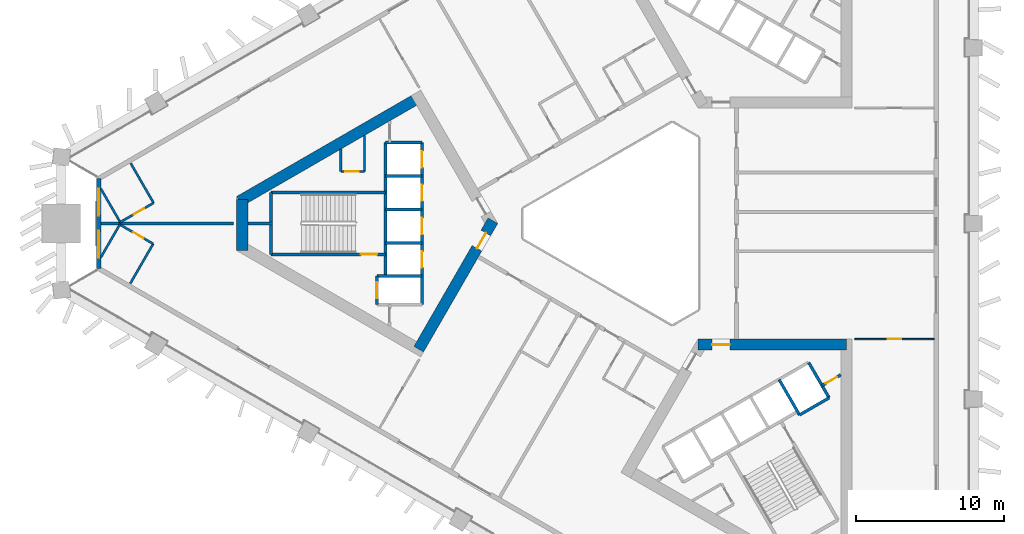
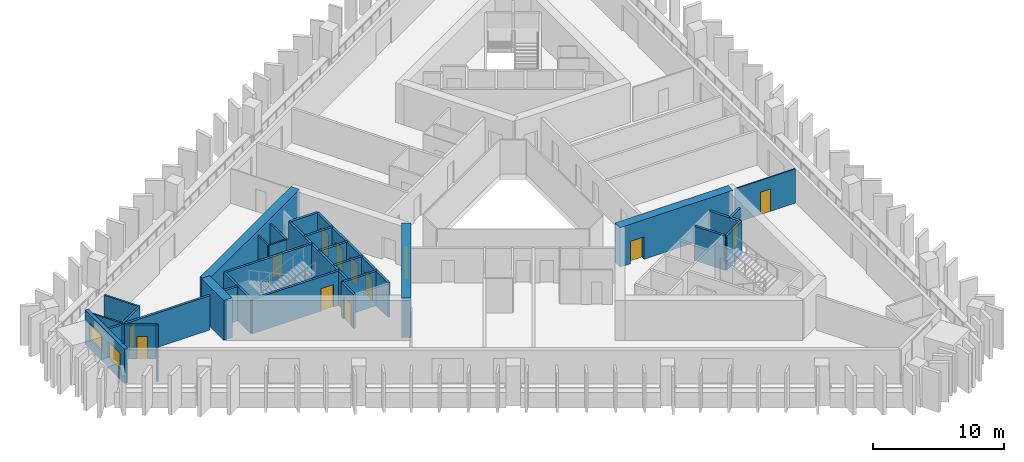
# One storey, part 4 of 11: 32 walls, 13 doors, 2 windows, 15 openings.
"""IFC4 building model written with IfcOpenShell, lengths in metres."""

from ifc_helpers import new_model, si_unit, direction, frame, frame_2d, origin, place, context, subcontext, project, spatial, rectangle, extrude, material, layer, layer_set, type_object, element, fill, save


model = new_model("IFC4")

# Units and contexts
model_context = context("Model", 3, precision=1e-05, world=origin(), true_north=direction((0.0, 1.0)))
body_context = subcontext(model_context, "Body", "Model", "MODEL_VIEW")
ifc_project = project(units=[si_unit("LENGTHUNIT", "METRE"), si_unit("AREAUNIT", "SQUARE_METRE"), si_unit("VOLUMEUNIT", "CUBIC_METRE"), si_unit("PLANEANGLEUNIT", "RADIAN"), si_unit("MASSUNIT", "GRAM", prefix="KILO")], contexts=[model_context])

# Site, building, storey
site_placement = place(None, origin())
site = spatial("IfcSite", under=ifc_project, at=site_placement, CompositionType="ELEMENT")
building_placement = place(site_placement, origin())
building = spatial("IfcBuilding", under=site, at=building_placement, Name="Jabali Bay Hotel Tower and Convention Centre", CompositionType="ELEMENT")
storey_placement = place(building_placement, frame((0.0, 0.0, 75.800048828125)))
storey = spatial("IfcBuildingStorey", under=building, at=storey_placement, Name="L17", CompositionType="ELEMENT", Elevation=75.800048828125)

# Wall
ifc_material_1 = material(Name="Concrete C40", Category="concrete")
ifc_layer_1 = layer(ifc_material_1, 0.199951171875)
ifc_layer_set_1 = layer_set([ifc_layer_1], Name="Concrete C40")
wall_type_1 = type_object("IfcWallType", Name="Core partition wall 200", PredefinedType="PARTITIONING", material=ifc_layer_set_1)
wall_1_placement = place(storey_placement, frame((50.820068359375, 80.0, 0.0), z_axis=(0.0, 0.0, 1.0), x_axis=(-1.0, 0.0, 0.0)))
element("IfcWall", 1, at=wall_1_placement, inside=storey, type_object=wall_type_1, Name="Core wall 0.5 L17", PredefinedType="PARTITIONING", context=body_context, shape_type="SweptSolid", body=[
    extrude(rectangle(XDim=1.673095703125, YDim=0.199951171875, at=frame_2d((0.83642578125, 0.0))), origin(), (0.0, 0.0, 1.0), 3.199951171875),
])

# Wall, opening, door
wall_2_placement = place(storey_placement, frame((87.86474609375, 69.067626953125, 0.0), z_axis=(0.0, 0.0, 1.0), x_axis=(0.865982457891, 0.500074377092, 0.0)))
wall_2 = element("IfcWall", 2, at=wall_2_placement, inside=storey, type_object=wall_type_1, Name="Core wall 2.12 L17", PredefinedType="PARTITIONING", context=body_context, shape_type="SweptSolid", body=[
    extrude(rectangle(XDim=1.461181640625, YDim=0.199951171875, at=frame_2d((0.73046875, 0.0))), origin(), (0.0, 0.0, 1.0), 3.199951171875),
])
opening_1_placement = place(wall_2_placement, frame((0.280517578125, 0.0, 0.0)))
opening_1 = element("IfcOpeningElement", 3, at=opening_1_placement, cuts=wall_2, Name="Opening D434", PredefinedType="OPENING", context=body_context, shape_type="SweptSolid", body=[
    extrude(rectangle(XDim=0.89990234375, YDim=2.10009765625, at=frame_2d((0.449951171875, 1.050048828125))), frame((0.0, 0.1103515625, 0.0), z_axis=(0.0, -1.0, 0.0), x_axis=(1.0, 0.0, 0.0)), (0.0, 0.0, 1.0), 0.220947265625),
])
ifc_material_2 = material(Name="Fire-rated steel door", Category="steel")
door_type_1 = type_object("IfcDoorType", Name="Vestibule fire door 900 x 2100", OperationType="NOTDEFINED", PredefinedType="NOTDEFINED", material=ifc_material_2)
door_1_placement = place(opening_1_placement, origin())
door_1 = element("IfcDoor", 4, at=door_1_placement, inside=storey, type_object=door_type_1, Name="Vestibule fire door D434", OperationType="SINGLE_SWING_LEFT", OverallHeight=2.10009765625, OverallWidth=0.89990234375, PredefinedType="NOTDEFINED", context=body_context, shape_type="SweptSolid", body=[
    extrude(rectangle(XDim=0.89990234375, YDim=2.10009765625, at=frame_2d((0.449951171875, 1.050048828125))), frame((0.0, 0.02490234375, 0.0), z_axis=(0.0, -1.0, 0.0), x_axis=(1.0, 0.0, 0.0)), (0.0, 0.0, 1.0), 0.050048828125),
])
fill(opening_1, door_1)

ifc_material_3 = material(Name="Fire-rated board partition")
ifc_layer_2 = layer(ifc_material_3, 0.14990234375)
ifc_layer_set_2 = layer_set([ifc_layer_2], Name="Fire-rated board partition")
wall_type_2 = type_object("IfcWallType", Name="Core room partition 150", PredefinedType="PARTITIONING", material=ifc_layer_set_2)
wall_3_placement = place(storey_placement, frame((57.02001953125, 83.5, 0.0), z_axis=(0.0, 0.0, 1.0), x_axis=(-1.0, 0.0, 0.0)))
wall_3 = element("IfcWall", 5, at=wall_3_placement, inside=storey, type_object=wall_type_2, Name="Core wall 0.1 L17", PredefinedType="PARTITIONING", context=body_context, shape_type="SweptSolid", body=[
    extrude(rectangle(XDim=1.60009765625, YDim=0.14990234375, at=frame_2d((0.800048828125, 0.0))), origin(), (0.0, 0.0, 1.0), 3.199951171875),
])
opening_2_placement = place(wall_3_placement, frame((0.387451171875, 0.0, 0.0)))
opening_2 = element("IfcOpeningElement", 6, at=opening_2_placement, cuts=wall_3, Name="Opening D425", PredefinedType="OPENING", context=body_context, shape_type="SweptSolid", body=[
    extrude(rectangle(XDim=0.89990234375, YDim=2.10009765625, at=frame_2d((0.449951171875, 1.050048828125))), frame((0.0, 0.08544921875, 0.0), z_axis=(0.0, -1.0, 0.0), x_axis=(1.0, 0.0, 0.0)), (0.0, 0.0, 1.0), 0.1708984375),
])
door_type_2 = type_object("IfcDoorType", Name="Core room door 900 x 2100", OperationType="NOTDEFINED", PredefinedType="NOTDEFINED", material=ifc_material_2)
door_2_placement = place(opening_2_placement, origin())
door_2 = element("IfcDoor", 7, at=door_2_placement, inside=storey, type_object=door_type_2, Name="Core room door D425", OperationType="SINGLE_SWING_LEFT", OverallHeight=2.10009765625, OverallWidth=0.89990234375, PredefinedType="NOTDEFINED", context=body_context, shape_type="SweptSolid", body=[
    extrude(rectangle(XDim=0.89990234375, YDim=2.10009765625, at=frame_2d((0.449951171875, 1.050048828125))), frame((0.0, 0.02490234375, 0.0), z_axis=(0.0, -1.0, 0.0), x_axis=(1.0, 0.0, 0.0)), (0.0, 0.0, 1.0), 0.050048828125),
])
fill(opening_2, door_2)

# Walls
wall_4_placement = place(storey_placement, frame((57.02001953125, 85.935302734375, 0.0), z_axis=(0.0, 0.0, 1.0), x_axis=(0.0, -1.0, 0.0)))
element("IfcWall", 8, at=wall_4_placement, inside=storey, type_object=wall_type_2, Name="Core wall 0.15 L17", PredefinedType="PARTITIONING", context=body_context, shape_type="SweptSolid", body=[
    extrude(rectangle(XDim=2.435302734375, YDim=0.14990234375, at=frame_2d((1.2177734375, 0.0))), origin(), (0.0, 0.0, 1.0), 3.199951171875),
])
wall_5_placement = place(storey_placement, frame((55.419921875, 85.011474609375, 0.0), z_axis=(0.0, 0.0, 1.0), x_axis=(0.0, -1.0, 0.0)))
element("IfcWall", 9, at=wall_5_placement, inside=storey, type_object=wall_type_2, Name="Core wall 0.16 L17", PredefinedType="PARTITIONING", context=body_context, shape_type="SweptSolid", body=[
    extrude(rectangle(XDim=1.511474609375, YDim=0.14990234375, at=frame_2d((0.755859375, 0.0))), origin(), (0.0, 0.0, 1.0), 3.199951171875),
])
ifc_layer_3 = layer(ifc_material_1, 0.199951171875)
ifc_layer_set_3 = layer_set([ifc_layer_3], Name="Concrete C40")
wall_type_3 = type_object("IfcWallType", Name="Core stair wall 200", PredefinedType="SOLIDWALL", material=ifc_layer_set_3)
for number, where, z_axis, x_axis, name in (
    (10, (60.89990234375, 85.449951171875, 0.0), (0.0, 0.0, 1.0), (-1.0, 0.0, 0.0), "Core wall 0.0 L17"),
    (11, (60.89990234375, 83.199951171875, 0.0), (0.0, 0.0, 1.0), (-1.0, 0.0, 0.0), "Core wall 0.2 L17"),
):
    element("IfcWall", number, at=place(storey_placement, frame(where, z_axis=z_axis, x_axis=x_axis)), inside=storey, type_object=wall_type_3, Name=name, PredefinedType="SOLIDWALL", context=body_context, shape_type="SweptSolid", body=[
        extrude(rectangle(XDim=2.47998046875, YDim=0.199951171875, at=frame_2d((1.239990234375, 0.0))), origin(), (0.0, 0.0, 1.0), 3.199951171875),
    ])
wall_6_placement = place(storey_placement, frame((58.419921875, 82.074951171875, 0.0), z_axis=(0.0, 0.0, 1.0), x_axis=(-1.0, 0.0, 0.0)))
element("IfcWall", 12, at=wall_6_placement, inside=storey, type_object=wall_type_3, Name="Core wall 0.3 L17", PredefinedType="SOLIDWALL", context=body_context, shape_type="SweptSolid", body=[
    extrude(rectangle(XDim=7.699951171875, YDim=0.199951171875, at=frame_2d((3.85009765625, 0.0))), origin(), (0.0, 0.0, 1.0), 3.199951171875),
])
for number, where, z_axis, x_axis, name in (
    (13, (60.89990234375, 80.949951171875, 0.0), (0.0, 0.0, 1.0), (-1.0, 0.0, 0.0), "Core wall 0.4 L17"),
    (14, (60.89990234375, 78.699951171875, 0.0), (0.0, 0.0, 1.0), (-1.0, 0.0, 0.0), "Core wall 0.6 L17"),
):
    element("IfcWall", number, at=place(storey_placement, frame(where, z_axis=z_axis, x_axis=x_axis)), inside=storey, type_object=wall_type_3, Name=name, PredefinedType="SOLIDWALL", context=body_context, shape_type="SweptSolid", body=[
        extrude(rectangle(XDim=2.47998046875, YDim=0.199951171875, at=frame_2d((1.239990234375, 0.0))), origin(), (0.0, 0.0, 1.0), 3.199951171875),
    ])

# Wall, opening, door
wall_7_placement = place(storey_placement, frame((58.419921875, 77.925048828125, 0.0), z_axis=(0.0, 0.0, 1.0), x_axis=(-1.0, 0.0, 0.0)))
wall_7 = element("IfcWall", 15, at=wall_7_placement, inside=storey, type_object=wall_type_3, Name="Core wall 0.7 L17", PredefinedType="SOLIDWALL", context=body_context, shape_type="SweptSolid", body=[
    extrude(rectangle(XDim=7.699951171875, YDim=0.199951171875, at=frame_2d((3.85009765625, 0.0))), origin(), (0.0, 0.0, 1.0), 3.199951171875),
])
opening_3_placement = place(wall_7_placement, frame((0.550048828125, 0.0, 0.0)))
opening_3 = element("IfcOpeningElement", 16, at=opening_3_placement, cuts=wall_7, Name="Opening D424", PredefinedType="OPENING", context=body_context, shape_type="SweptSolid", body=[
    extrude(rectangle(XDim=1.10009765625, YDim=2.10009765625, at=frame_2d((0.550048828125, 1.050048828125))), frame((0.0, 0.1103515625, 0.0), z_axis=(0.0, -1.0, 0.0), x_axis=(1.0, 0.0, 0.0)), (0.0, 0.0, 1.0), 0.220947265625),
])
door_type_3 = type_object("IfcDoorType", Name="Stair fire door 1100 x 2100", OperationType="NOTDEFINED", PredefinedType="NOTDEFINED", material=ifc_material_2)
door_3_placement = place(opening_3_placement, origin())
door_3 = element("IfcDoor", 17, at=door_3_placement, inside=storey, type_object=door_type_3, Name="Stair fire door D424", OperationType="SINGLE_SWING_RIGHT", OverallHeight=2.10009765625, OverallWidth=1.10009765625, PredefinedType="NOTDEFINED", context=body_context, shape_type="SweptSolid", body=[
    extrude(rectangle(XDim=1.10009765625, YDim=2.10009765625, at=frame_2d((0.550048828125, 1.050048828125))), frame((0.0, 0.02490234375, 0.0), z_axis=(0.0, -1.0, 0.0), x_axis=(1.0, 0.0, 0.0)), (0.0, 0.0, 1.0), 0.050048828125),
])
fill(opening_3, door_3)

# Wall
wall_8_placement = place(storey_placement, frame((60.89990234375, 76.449951171875, 0.0), z_axis=(0.0, 0.0, 1.0), x_axis=(-1.0, 0.0, 0.0)))
element("IfcWall", 18, at=wall_8_placement, inside=storey, type_object=wall_type_3, Name="Core wall 0.8 L17", PredefinedType="SOLIDWALL", context=body_context, shape_type="SweptSolid", body=[
    extrude(rectangle(XDim=3.0498046875, YDim=0.199951171875, at=frame_2d((1.52490234375, 0.0))), origin(), (0.0, 0.0, 1.0), 3.199951171875),
])

# Wall, openings, doors
wall_9_placement = place(storey_placement, frame((60.89990234375, 85.449951171875, 0.0), z_axis=(0.0, 0.0, 1.0), x_axis=(0.0, -1.0, 0.0)))
wall_9 = element("IfcWall", 19, at=wall_9_placement, inside=storey, type_object=wall_type_3, Name="Core wall 0.10 L17", PredefinedType="SOLIDWALL", context=body_context, shape_type="SweptSolid", body=[
    extrude(rectangle(XDim=10.89990234375, YDim=0.199951171875, at=frame_2d((5.449951171875, 0.0))), origin(), (0.0, 0.0, 1.0), 3.199951171875),
])
opening_4_placement = place(wall_9_placement, frame((0.574951171875, 0.0, 0.0)))
opening_4 = element("IfcOpeningElement", 20, at=opening_4_placement, cuts=wall_9, Name="Opening LD1-L17", PredefinedType="OPENING", context=body_context, shape_type="SweptSolid", body=[
    extrude(rectangle(XDim=1.10009765625, YDim=2.10009765625, at=frame_2d((0.550048828125, 1.050048828125))), frame((0.0, 0.1103515625, 0.0), z_axis=(0.0, -1.0, 0.0), x_axis=(1.0, 0.0, 0.0)), (0.0, 0.0, 1.0), 0.220947265625),
])
opening_5_placement = place(wall_9_placement, frame((2.824951171875, 0.0, 0.0)))
opening_5 = element("IfcOpeningElement", 21, at=opening_5_placement, cuts=wall_9, Name="Opening LD2-L17", PredefinedType="OPENING", context=body_context, shape_type="SweptSolid", body=[
    extrude(rectangle(XDim=1.10009765625, YDim=2.10009765625, at=frame_2d((0.550048828125, 1.050048828125))), frame((0.0, 0.1103515625, 0.0), z_axis=(0.0, -1.0, 0.0), x_axis=(1.0, 0.0, 0.0)), (0.0, 0.0, 1.0), 0.220947265625),
])
opening_6_placement = place(wall_9_placement, frame((5.074951171875, 0.0, 0.0)))
opening_6 = element("IfcOpeningElement", 22, at=opening_6_placement, cuts=wall_9, Name="Opening LD3-L17", PredefinedType="OPENING", context=body_context, shape_type="SweptSolid", body=[
    extrude(rectangle(XDim=1.10009765625, YDim=2.10009765625, at=frame_2d((0.550048828125, 1.050048828125))), frame((0.0, 0.1103515625, 0.0), z_axis=(0.0, -1.0, 0.0), x_axis=(1.0, 0.0, 0.0)), (0.0, 0.0, 1.0), 0.220947265625),
])
opening_7_placement = place(wall_9_placement, frame((7.324951171875, 0.0, 0.0)))
opening_7 = element("IfcOpeningElement", 23, at=opening_7_placement, cuts=wall_9, Name="Opening LD4-L17", PredefinedType="OPENING", context=body_context, shape_type="SweptSolid", body=[
    extrude(rectangle(XDim=1.10009765625, YDim=2.10009765625, at=frame_2d((0.550048828125, 1.050048828125))), frame((0.0, 0.1103515625, 0.0), z_axis=(0.0, -1.0, 0.0), x_axis=(1.0, 0.0, 0.0)), (0.0, 0.0, 1.0), 0.220947265625),
])
ifc_material_4 = material(Name="Stainless steel landing door", Category="steel")
door_type_4 = type_object("IfcDoorType", Name="Landing door 1100 x 2100", OperationType="NOTDEFINED", PredefinedType="NOTDEFINED", material=ifc_material_4)
door_4_placement = place(opening_4_placement, origin())
door_4 = element("IfcDoor", 24, at=door_4_placement, inside=storey, type_object=door_type_4, Name="Landing doors LD1-L17", OperationType="SLIDING_TO_RIGHT", OverallHeight=2.10009765625, OverallWidth=1.10009765625, PredefinedType="NOTDEFINED", context=body_context, shape_type="SweptSolid", body=[
    extrude(rectangle(XDim=1.10009765625, YDim=2.10009765625, at=frame_2d((0.550048828125, 1.050048828125))), frame((0.0, 0.02490234375, 0.0), z_axis=(0.0, -1.0, 0.0), x_axis=(1.0, 0.0, 0.0)), (0.0, 0.0, 1.0), 0.050048828125),
])
fill(opening_4, door_4)
door_5_placement = place(opening_5_placement, origin())
door_5 = element("IfcDoor", 25, at=door_5_placement, inside=storey, type_object=door_type_4, Name="Landing doors LD2-L17", OperationType="SLIDING_TO_LEFT", OverallHeight=2.10009765625, OverallWidth=1.10009765625, PredefinedType="NOTDEFINED", context=body_context, shape_type="SweptSolid", body=[
    extrude(rectangle(XDim=1.10009765625, YDim=2.10009765625, at=frame_2d((0.550048828125, 1.050048828125))), frame((0.0, 0.02490234375, 0.0), z_axis=(0.0, -1.0, 0.0), x_axis=(1.0, 0.0, 0.0)), (0.0, 0.0, 1.0), 0.050048828125),
])
fill(opening_5, door_5)
door_6_placement = place(opening_6_placement, origin())
door_6 = element("IfcDoor", 26, at=door_6_placement, inside=storey, type_object=door_type_4, Name="Landing doors LD3-L17", OperationType="SLIDING_TO_RIGHT", OverallHeight=2.10009765625, OverallWidth=1.10009765625, PredefinedType="NOTDEFINED", context=body_context, shape_type="SweptSolid", body=[
    extrude(rectangle(XDim=1.10009765625, YDim=2.10009765625, at=frame_2d((0.550048828125, 1.050048828125))), frame((0.0, 0.02490234375, 0.0), z_axis=(0.0, -1.0, 0.0), x_axis=(1.0, 0.0, 0.0)), (0.0, 0.0, 1.0), 0.050048828125),
])
fill(opening_6, door_6)
door_7_placement = place(opening_7_placement, origin())
door_7 = element("IfcDoor", 27, at=door_7_placement, inside=storey, type_object=door_type_4, Name="Landing doors LD4-L17", OperationType="SLIDING_TO_LEFT", OverallHeight=2.10009765625, OverallWidth=1.10009765625, PredefinedType="NOTDEFINED", context=body_context, shape_type="SweptSolid", body=[
    extrude(rectangle(XDim=1.10009765625, YDim=2.10009765625, at=frame_2d((0.550048828125, 1.050048828125))), frame((0.0, 0.02490234375, 0.0), z_axis=(0.0, -1.0, 0.0), x_axis=(1.0, 0.0, 0.0)), (0.0, 0.0, 1.0), 0.050048828125),
])
fill(opening_7, door_7)

# Wall
wall_10_placement = place(storey_placement, frame((58.419921875, 85.449951171875, 0.0), z_axis=(0.0, 0.0, 1.0), x_axis=(0.0, -1.0, 0.0)))
element("IfcWall", 28, at=wall_10_placement, inside=storey, type_object=wall_type_3, Name="Core wall 0.13 L17", PredefinedType="SOLIDWALL", context=body_context, shape_type="SweptSolid", body=[
    extrude(rectangle(XDim=9.0, YDim=0.199951171875, at=frame_2d((4.5, 0.0))), origin(), (0.0, 0.0, 1.0), 3.199951171875),
])

# Wall, opening, door
wall_11_placement = place(storey_placement, frame((57.85009765625, 76.449951171875, 0.0), z_axis=(0.0, 0.0, 1.0), x_axis=(0.0, -1.0, 0.0)))
wall_11 = element("IfcWall", 29, at=wall_11_placement, inside=storey, type_object=wall_type_3, Name="Core wall 0.14 L17", PredefinedType="SOLIDWALL", context=body_context, shape_type="SweptSolid", body=[
    extrude(rectangle(XDim=1.89990234375, YDim=0.199951171875, at=frame_2d((0.949951171875, 0.0))), origin(), (0.0, 0.0, 1.0), 3.199951171875),
])
opening_8_placement = place(wall_11_placement, frame((0.39990234375, 0.0, 0.0)))
opening_8 = element("IfcOpeningElement", 30, at=opening_8_placement, cuts=wall_11, Name="Opening LD5-L17", PredefinedType="OPENING", context=body_context, shape_type="SweptSolid", body=[
    extrude(rectangle(XDim=1.10009765625, YDim=2.10009765625, at=frame_2d((0.550048828125, 1.050048828125))), frame((0.0, 0.1103515625, 0.0), z_axis=(0.0, -1.0, 0.0), x_axis=(1.0, 0.0, 0.0)), (0.0, 0.0, 1.0), 0.220947265625),
])
door_8_placement = place(opening_8_placement, origin())
door_8 = element("IfcDoor", 31, at=door_8_placement, inside=storey, type_object=door_type_4, Name="Landing doors LD5-L17", OperationType="SLIDING_TO_RIGHT", OverallHeight=2.10009765625, OverallWidth=1.10009765625, PredefinedType="NOTDEFINED", context=body_context, shape_type="SweptSolid", body=[
    extrude(rectangle(XDim=1.10009765625, YDim=2.10009765625, at=frame_2d((0.550048828125, 1.050048828125))), frame((0.0, 0.02490234375, 0.0), z_axis=(0.0, -1.0, 0.0), x_axis=(1.0, 0.0, 0.0)), (0.0, 0.0, 1.0), 0.050048828125),
])
fill(opening_8, door_8)

# Walls
wall_12_placement = place(storey_placement, frame((50.719970703125, 82.074951171875, 0.0), z_axis=(0.0, 0.0, 1.0), x_axis=(0.0, -1.0, 0.0)))
element("IfcWall", 32, at=wall_12_placement, inside=storey, type_object=wall_type_3, Name="Core wall 0.17 L17", PredefinedType="SOLIDWALL", context=body_context, shape_type="SweptSolid", body=[
    extrude(rectangle(XDim=4.14990234375, YDim=0.199951171875, at=frame_2d((2.074951171875, 0.0))), origin(), (0.0, 0.0, 1.0), 3.199951171875),
])
for number, where, z_axis, x_axis, name in (
    (33, (84.972900390625, 69.4765625, 0.0), (0.0, 0.0, 1.0), (0.499996545922, -0.866027397988, 0.0), "Core wall 2.8 L17"),
    (34, (86.964599609375, 70.62646484375, 0.0), (0.0, 0.0, 1.0), (0.499996545922, -0.866027397988, 0.0), "Core wall 2.9 L17"),
):
    element("IfcWall", number, at=place(storey_placement, frame(where, z_axis=z_axis, x_axis=x_axis)), inside=storey, type_object=wall_type_3, Name=name, PredefinedType="SOLIDWALL", context=body_context, shape_type="SweptSolid", body=[
        extrude(rectangle(XDim=2.75, YDim=0.199951171875, at=frame_2d((1.375, 0.0))), origin(), (0.0, 0.0, 1.0), 3.199951171875),
    ])
wall_13_placement = place(storey_placement, frame((86.347900390625, 67.094970703125, 0.0), z_axis=(0.0, 0.0, 1.0), x_axis=(0.86602648383, 0.499998129301, 0.0)))
element("IfcWall", 35, at=wall_13_placement, inside=storey, type_object=wall_type_3, Name="Core wall 2.15 L17", PredefinedType="SOLIDWALL", context=body_context, shape_type="SweptSolid", body=[
    extrude(rectangle(XDim=2.2998046875, YDim=0.199951171875, at=frame_2d((1.14990234375, 0.0))), origin(), (0.0, 0.0, 1.0), 3.199951171875),
])
ifc_material_5 = material(Name="Concrete C60", Category="concrete")
ifc_layer_4 = layer(ifc_material_5, 0.75)
ifc_layer_set_4 = layer_set([ifc_layer_4], Name="Concrete C60")
wall_type_4 = type_object("IfcWallType", Name="Core wall 750", PredefinedType="SHEAR", material=ifc_layer_set_4)
wall_14_placement = place(storey_placement, frame((60.6728515625, 88.47705078125, 0.0), z_axis=(0.0, 0.0, 1.0), x_axis=(-0.8660248072, -0.500001033313, 0.0)))
element("IfcWall", 36, at=wall_14_placement, inside=storey, type_object=wall_type_4, Name="Core wall 1.2 L17", PredefinedType="SHEAR", context=body_context, shape_type="SweptSolid", body=[
    extrude(rectangle(XDim=13.95849609375, YDim=0.75, at=frame_2d((6.979248046875, 0.0))), origin(), (0.0, 0.0, 1.0), 3.699951171875),
])
wall_15_placement = place(storey_placement, frame((48.77197265625, 81.606201171875, 0.0), z_axis=(0.0, 0.0, 1.0), x_axis=(0.0, -1.0, 0.0)))
element("IfcWall", 37, at=wall_15_placement, inside=storey, type_object=wall_type_4, Name="Core wall 1.3 L17", PredefinedType="SHEAR", context=body_context, shape_type="SweptSolid", body=[
    extrude(rectangle(XDim=3.428955078125, YDim=0.75, at=frame_2d((1.71435546875, 0.0))), origin(), (0.0, 0.0, 1.0), 3.699951171875),
])

# Wall, opening, door
wall_16_placement = place(storey_placement, frame((60.6728515625, 71.52294921875, 0.0), z_axis=(0.0, 0.0, 1.0), x_axis=(0.499997052475, 0.866027105532, 0.0)))
wall_16 = element("IfcWall", 38, at=wall_16_placement, inside=storey, type_object=wall_type_4, Name="Core wall 1.5 L17", PredefinedType="SHEAR", context=body_context, shape_type="SweptSolid", body=[
    extrude(rectangle(XDim=10.0048828125, YDim=0.75, at=frame_2d((5.00244140625, 0.0))), origin(), (0.0, 0.0, 1.0), 3.699951171875),
])
opening_9_placement = place(wall_16_placement, frame((7.85498046875, 0.0, 0.0)))
opening_9 = element("IfcOpeningElement", 39, at=opening_9_placement, cuts=wall_16, Name="Opening D421", PredefinedType="OPENING", context=body_context, shape_type="SweptSolid", body=[
    extrude(rectangle(XDim=1.199951171875, YDim=2.10009765625, at=frame_2d((0.60009765625, 1.050048828125))), frame((0.0, 0.385498046875, 0.0), z_axis=(0.0, -1.0, 0.0), x_axis=(1.0, 0.0, 0.0)), (0.0, 0.0, 1.0), 0.77099609375),
])
door_type_5 = type_object("IfcDoorType", Name="Corridor end fire door 1200 x 2100", OperationType="NOTDEFINED", PredefinedType="NOTDEFINED", material=ifc_material_2)
door_9_placement = place(opening_9_placement, origin())
door_9 = element("IfcDoor", 40, at=door_9_placement, inside=storey, type_object=door_type_5, Name="Corridor end fire door D421", OperationType="SINGLE_SWING_LEFT", OverallHeight=2.10009765625, OverallWidth=1.199951171875, PredefinedType="NOTDEFINED", context=body_context, shape_type="SweptSolid", body=[
    extrude(rectangle(XDim=1.199951171875, YDim=2.10009765625, at=frame_2d((0.60009765625, 1.050048828125))), frame((0.0, 0.02490234375, 0.0), z_axis=(0.0, -1.0, 0.0), x_axis=(1.0, 0.0, 0.0)), (0.0, 0.0, 1.0), 0.050048828125),
])
fill(opening_9, door_9)

wall_17_placement = place(storey_placement, frame((89.5048828125, 71.830810546875, 0.0), z_axis=(0.0, 0.0, 1.0), x_axis=(-1.0, 0.0, 0.0)))
wall_17 = element("IfcWall", 41, at=wall_17_placement, inside=storey, type_object=wall_type_4, Name="Core wall 3.5 L17", PredefinedType="SHEAR", context=body_context, shape_type="SweptSolid", body=[
    extrude(rectangle(XDim=10.0048828125, YDim=0.75, at=frame_2d((5.00244140625, 0.0))), origin(), (0.0, 0.0, 1.0), 3.699951171875),
])
opening_10_placement = place(wall_17_placement, frame((7.85498046875, 0.0, 0.0)))
opening_10 = element("IfcOpeningElement", 42, at=opening_10_placement, cuts=wall_17, Name="Opening D433", PredefinedType="OPENING", context=body_context, shape_type="SweptSolid", body=[
    extrude(rectangle(XDim=1.199951171875, YDim=2.10009765625, at=frame_2d((0.60009765625, 1.050048828125))), frame((0.0, 0.385498046875, 0.0), z_axis=(0.0, -1.0, 0.0), x_axis=(1.0, 0.0, 0.0)), (0.0, 0.0, 1.0), 0.77099609375),
])
door_10_placement = place(opening_10_placement, origin())
door_10 = element("IfcDoor", 43, at=door_10_placement, inside=storey, type_object=door_type_5, Name="Corridor end fire door D433", OperationType="SINGLE_SWING_LEFT", OverallHeight=2.10009765625, OverallWidth=1.199951171875, PredefinedType="NOTDEFINED", context=body_context, shape_type="SweptSolid", body=[
    extrude(rectangle(XDim=1.199951171875, YDim=2.10009765625, at=frame_2d((0.60009765625, 1.050048828125))), frame((0.0, 0.02490234375, 0.0), z_axis=(0.0, -1.0, 0.0), x_axis=(1.0, 0.0, 0.0)), (0.0, 0.0, 1.0), 0.050048828125),
])
fill(opening_10, door_10)

# Wall, openings, windows
ifc_layer_5 = layer(ifc_material_1, 0.300048828125)
ifc_layer_set_5 = layer_set([ifc_layer_5], Name="Concrete C40")
wall_type_5 = type_object("IfcWallType", Name="External wall 300", PredefinedType="SOLIDWALL", material=ifc_layer_set_5)
wall_18_placement = place(storey_placement, frame((39.092529296875, 76.972900390625, 0.0), z_axis=(0.0, 0.0, 1.0), x_axis=(0.0, 1.0, 0.0)))
wall_18 = element("IfcWall", 44, at=wall_18_placement, inside=storey, type_object=wall_type_5, Name="External wall west chamfer L17", PredefinedType="SOLIDWALL", context=body_context, shape_type="SweptSolid", body=[
    extrude(rectangle(XDim=6.05419921875, YDim=0.300048828125, at=frame_2d((3.027099609375, 0.0))), origin(), (0.0, 0.0, 1.0), 3.199951171875),
])
opening_11_placement = place(wall_18_placement, frame((3.560302734375, 0.0, 0.89990234375)))
opening_11 = element("IfcOpeningElement", 45, at=opening_11_placement, cuts=wall_18, Name="Opening W1", PredefinedType="OPENING", context=body_context, shape_type="SweptSolid", body=[
    extrude(rectangle(XDim=1.800048828125, YDim=1.5, at=frame_2d((0.89990234375, 0.75))), frame((0.0, 0.16064453125, 0.0), z_axis=(0.0, -1.0, 0.0), x_axis=(1.0, 0.0, 0.0)), (0.0, 0.0, 1.0), 0.321044921875),
])
opening_12_placement = place(wall_18_placement, frame((0.7265625, 0.0, 0.89990234375)))
opening_12 = element("IfcOpeningElement", 46, at=opening_12_placement, cuts=wall_18, Name="Opening W1", PredefinedType="OPENING", context=body_context, shape_type="SweptSolid", body=[
    extrude(rectangle(XDim=1.800048828125, YDim=1.5, at=frame_2d((0.89990234375, 0.75))), frame((0.0, 0.16064453125, 0.0), z_axis=(0.0, -1.0, 0.0), x_axis=(1.0, 0.0, 0.0)), (0.0, 0.0, 1.0), 0.321044921875),
])
ifc_material_6 = material(Name="Glass", Category="glass")
window_type = type_object("IfcWindowType", Name="Window 1800 x 1500", PartitioningType="SINGLE_PANEL", PredefinedType="WINDOW", material=ifc_material_6)
window_1_placement = place(opening_11_placement, origin())
window_1 = element("IfcWindow", 47, at=window_1_placement, inside=storey, type_object=window_type, Name="Window 1707", OverallHeight=1.5, OverallWidth=1.800048828125, PartitioningType="SINGLE_PANEL", PredefinedType="WINDOW", context=body_context, shape_type="SweptSolid", body=[
    extrude(rectangle(XDim=1.800048828125, YDim=1.5, at=frame_2d((0.89990234375, 0.75))), frame((0.0, 0.030029296875, 0.0), z_axis=(0.0, -1.0, 0.0), x_axis=(1.0, 0.0, 0.0)), (0.0, 0.0, 1.0), 0.06005859375),
])
fill(opening_11, window_1)
window_2_placement = place(opening_12_placement, origin())
window_2 = element("IfcWindow", 48, at=window_2_placement, inside=storey, type_object=window_type, Name="Window 1708", OverallHeight=1.5, OverallWidth=1.800048828125, PartitioningType="SINGLE_PANEL", PredefinedType="WINDOW", context=body_context, shape_type="SweptSolid", body=[
    extrude(rectangle(XDim=1.800048828125, YDim=1.5, at=frame_2d((0.89990234375, 0.75))), frame((0.0, 0.030029296875, 0.0), z_axis=(0.0, -1.0, 0.0), x_axis=(1.0, 0.0, 0.0)), (0.0, 0.0, 1.0), 0.06005859375),
])
fill(opening_12, window_2)

# Wall, opening, door
ifc_material_7 = material(Name="Plasterboard on steel stud", Category="steel")
ifc_layer_6 = layer(ifc_material_7, 0.10009765625)
ifc_layer_set_6 = layer_set([ifc_layer_6], Name="Plasterboard on steel stud")
wall_type_6 = type_object("IfcWallType", Name="Partition 100 unit", PredefinedType="PARTITIONING", material=ifc_layer_set_6)
wall_19_placement = place(storey_placement, frame((90.0791015625, 72.205810546875, 0.0), z_axis=(0.0, 0.0, 1.0), x_axis=(1.0, 0.0, 0.0)))
wall_19 = element("IfcWall", 49, at=wall_19_placement, inside=storey, type_object=wall_type_6, Name="Partition P02 L17 001", PredefinedType="PARTITIONING", context=body_context, shape_type="SweptSolid", body=[
    extrude(rectangle(XDim=5.34716796875, YDim=0.10009765625, at=frame_2d((2.673583984375, 0.0))), origin(), (0.0, 0.0, 1.0), 3.199951171875),
])
opening_13_placement = place(wall_19_placement, frame((2.22412109375, 0.0, 0.0)))
opening_13 = element("IfcOpeningElement", 50, at=opening_13_placement, cuts=wall_19, Name="Opening 1702", PredefinedType="OPENING", context=body_context, shape_type="SweptSolid", body=[
    extrude(rectangle(XDim=0.89990234375, YDim=2.10009765625, at=frame_2d((0.449951171875, 1.050048828125))), frame((0.0, 0.060546875, 0.0), z_axis=(0.0, -1.0, 0.0), x_axis=(1.0, 0.0, 0.0)), (0.0, 0.0, 1.0), 0.12109375),
])
ifc_material_8 = material(Name="Timber", Category="wood")
door_type_6 = type_object("IfcDoorType", Name="Internal door 900 x 2100", OperationType="NOTDEFINED", PredefinedType="NOTDEFINED", material=ifc_material_8)
door_11_placement = place(opening_13_placement, origin())
door_11 = element("IfcDoor", 51, at=door_11_placement, inside=storey, type_object=door_type_6, Name="Door 1702", OperationType="SINGLE_SWING_RIGHT", OverallHeight=2.10009765625, OverallWidth=0.89990234375, PredefinedType="NOTDEFINED", context=body_context, shape_type="SweptSolid", body=[
    extrude(rectangle(XDim=0.89990234375, YDim=2.10009765625, at=frame_2d((0.449951171875, 1.050048828125))), frame((0.0, 0.02490234375, 0.0), z_axis=(0.0, -1.0, 0.0), x_axis=(1.0, 0.0, 0.0)), (0.0, 0.0, 1.0), 0.050048828125),
])
fill(opening_13, door_11)

# Wall
ifc_layer_7 = layer(ifc_material_7, 0.14990234375)
ifc_layer_set_7 = layer_set([ifc_layer_7], Name="Plasterboard on steel stud")
wall_type_7 = type_object("IfcWallType", Name="Partition 150 wet", PredefinedType="PARTITIONING", material=ifc_layer_set_7)
wall_20_placement = place(storey_placement, frame((41.25634765625, 84.05712890625, 0.0), z_axis=(0.0, 0.0, 1.0), x_axis=(0.500021696003, -0.866012877229, 0.0)))
element("IfcWall", 52, at=wall_20_placement, inside=storey, type_object=wall_type_7, Name="Partition P03 L17 023", PredefinedType="PARTITIONING", context=body_context, shape_type="SweptSolid", body=[
    extrude(rectangle(XDim=3.083740234375, YDim=0.14990234375, at=frame_2d((1.5419921875, 0.0))), origin(), (0.0, 0.0, 1.0), 3.199951171875),
])

# Wall, opening, door
wall_21_placement = place(storey_placement, frame((42.79833984375, 81.386474609375, 0.0), z_axis=(0.0, 0.0, 1.0), x_axis=(-0.866021400173, -0.500006934395, 0.0)))
wall_21 = element("IfcWall", 53, at=wall_21_placement, inside=storey, type_object=wall_type_7, Name="Partition P03 L17 024", PredefinedType="PARTITIONING", context=body_context, shape_type="SweptSolid", body=[
    extrude(rectangle(XDim=2.60009765625, YDim=0.14990234375, at=frame_2d((1.300048828125, 0.0))), origin(), (0.0, 0.0, 1.0), 3.199951171875),
])
opening_14_placement = place(wall_21_placement, frame((0.75, 0.0, 0.0)))
opening_14 = element("IfcOpeningElement", 54, at=opening_14_placement, cuts=wall_21, Name="Opening 1716", PredefinedType="OPENING", context=body_context, shape_type="SweptSolid", body=[
    extrude(rectangle(XDim=0.800048828125, YDim=2.10009765625, at=frame_2d((0.39990234375, 1.050048828125))), frame((0.0, 0.08544921875, 0.0), z_axis=(0.0, -1.0, 0.0), x_axis=(1.0, 0.0, 0.0)), (0.0, 0.0, 1.0), 0.1708984375),
])
door_type_7 = type_object("IfcDoorType", Name="En-suite door 800 x 2100", OperationType="NOTDEFINED", PredefinedType="NOTDEFINED", material=ifc_material_8)
door_12_placement = place(opening_14_placement, origin())
door_12 = element("IfcDoor", 55, at=door_12_placement, inside=storey, type_object=door_type_7, Name="Door 1716", OperationType="SINGLE_SWING_LEFT", OverallHeight=2.10009765625, OverallWidth=0.800048828125, PredefinedType="NOTDEFINED", context=body_context, shape_type="SweptSolid", body=[
    extrude(rectangle(XDim=0.800048828125, YDim=2.10009765625, at=frame_2d((0.39990234375, 1.050048828125))), frame((0.0, 0.02490234375, 0.0), z_axis=(0.0, -1.0, 0.0), x_axis=(1.0, 0.0, 0.0)), (0.0, 0.0, 1.0), 0.050048828125),
])
fill(opening_14, door_12)

# Walls
wall_22_placement = place(storey_placement, frame((40.546630859375, 80.08642578125, 0.0), z_axis=(0.0, 0.0, 1.0), x_axis=(-0.500022016631, 0.866012692104, 0.0)))
element("IfcWall", 56, at=wall_22_placement, inside=storey, type_object=wall_type_7, Name="Partition P03 L17 025", PredefinedType="PARTITIONING", context=body_context, shape_type="SweptSolid", body=[
    extrude(rectangle(XDim=2.6103515625, YDim=0.14990234375, at=frame_2d((1.30517578125, 0.0))), origin(), (0.0, 0.0, 1.0), 3.199951171875),
])
wall_23_placement = place(storey_placement, frame((39.241455078125, 77.7177734375, 0.0), z_axis=(0.0, 0.0, 1.0), x_axis=(0.500014808323, 0.866016854026, 0.0)))
element("IfcWall", 57, at=wall_23_placement, inside=storey, type_object=wall_type_7, Name="Partition P03 L17 030", PredefinedType="PARTITIONING", context=body_context, shape_type="SweptSolid", body=[
    extrude(rectangle(XDim=2.55419921875, YDim=0.14990234375, at=frame_2d((1.277099609375, 0.0))), origin(), (0.0, 0.0, 1.0), 3.199951171875),
])

# Wall, opening, door
wall_24_placement = place(storey_placement, frame((40.5185546875, 79.9296875, 0.0), z_axis=(0.0, 0.0, 1.0), x_axis=(0.866062058628, -0.499936506574, 0.0)))
wall_24 = element("IfcWall", 58, at=wall_24_placement, inside=storey, type_object=wall_type_7, Name="Partition P03 L17 031", PredefinedType="PARTITIONING", context=body_context, shape_type="SweptSolid", body=[
    extrude(rectangle(XDim=2.599853515625, YDim=0.14990234375, at=frame_2d((1.2998046875, 0.0))), origin(), (0.0, 0.0, 1.0), 3.199951171875),
])
opening_15_placement = place(wall_24_placement, frame((1.050048828125, 0.0, 0.0)))
opening_15 = element("IfcOpeningElement", 59, at=opening_15_placement, cuts=wall_24, Name="Opening 1719", PredefinedType="OPENING", context=body_context, shape_type="SweptSolid", body=[
    extrude(rectangle(XDim=0.800048828125, YDim=2.10009765625, at=frame_2d((0.39990234375, 1.050048828125))), frame((0.0, 0.08544921875, 0.0), z_axis=(0.0, -1.0, 0.0), x_axis=(1.0, 0.0, 0.0)), (0.0, 0.0, 1.0), 0.1708984375),
])
door_13_placement = place(opening_15_placement, origin())
door_13 = element("IfcDoor", 60, at=door_13_placement, inside=storey, type_object=door_type_7, Name="Door 1719", OperationType="SINGLE_SWING_RIGHT", OverallHeight=2.10009765625, OverallWidth=0.800048828125, PredefinedType="NOTDEFINED", context=body_context, shape_type="SweptSolid", body=[
    extrude(rectangle(XDim=0.800048828125, YDim=2.10009765625, at=frame_2d((0.39990234375, 1.050048828125))), frame((0.0, 0.02490234375, 0.0), z_axis=(0.0, -1.0, 0.0), x_axis=(1.0, 0.0, 0.0)), (0.0, 0.0, 1.0), 0.050048828125),
])
fill(opening_15, door_13)

# Walls
wall_25_placement = place(storey_placement, frame((42.770263671875, 78.6298828125, 0.0), z_axis=(0.0, 0.0, 1.0), x_axis=(-0.500021696003, -0.866012877229, 0.0)))
element("IfcWall", 61, at=wall_25_placement, inside=storey, type_object=wall_type_7, Name="Partition P03 L17 032", PredefinedType="PARTITIONING", context=body_context, shape_type="SweptSolid", body=[
    extrude(rectangle(XDim=3.083740234375, YDim=0.14990234375, at=frame_2d((1.5419921875, 0.0))), origin(), (0.0, 0.0, 1.0), 3.199951171875),
])
ifc_layer_8 = layer(ifc_material_7, 0.199951171875)
ifc_layer_set_8 = layer_set([ifc_layer_8], Name="Plasterboard on steel stud")
wall_type_8 = type_object("IfcWallType", Name="Partition 200 party", PredefinedType="PARTITIONING", material=ifc_layer_set_8)
wall_26_placement = place(storey_placement, frame((39.241455078125, 80.0, 0.0), z_axis=(0.0, 0.0, 1.0), x_axis=(1.0, 0.0, 0.0)))
element("IfcWall", 62, at=wall_26_placement, inside=storey, type_object=wall_type_8, Name="Partition P01 L17 026", PredefinedType="PARTITIONING", context=body_context, shape_type="SweptSolid", body=[
    extrude(rectangle(XDim=8.95654296875, YDim=0.199951171875, at=frame_2d((4.478271484375, 0.0))), origin(), (0.0, 0.0, 1.0), 3.199951171875),
])

save(model, "model.ifc")
